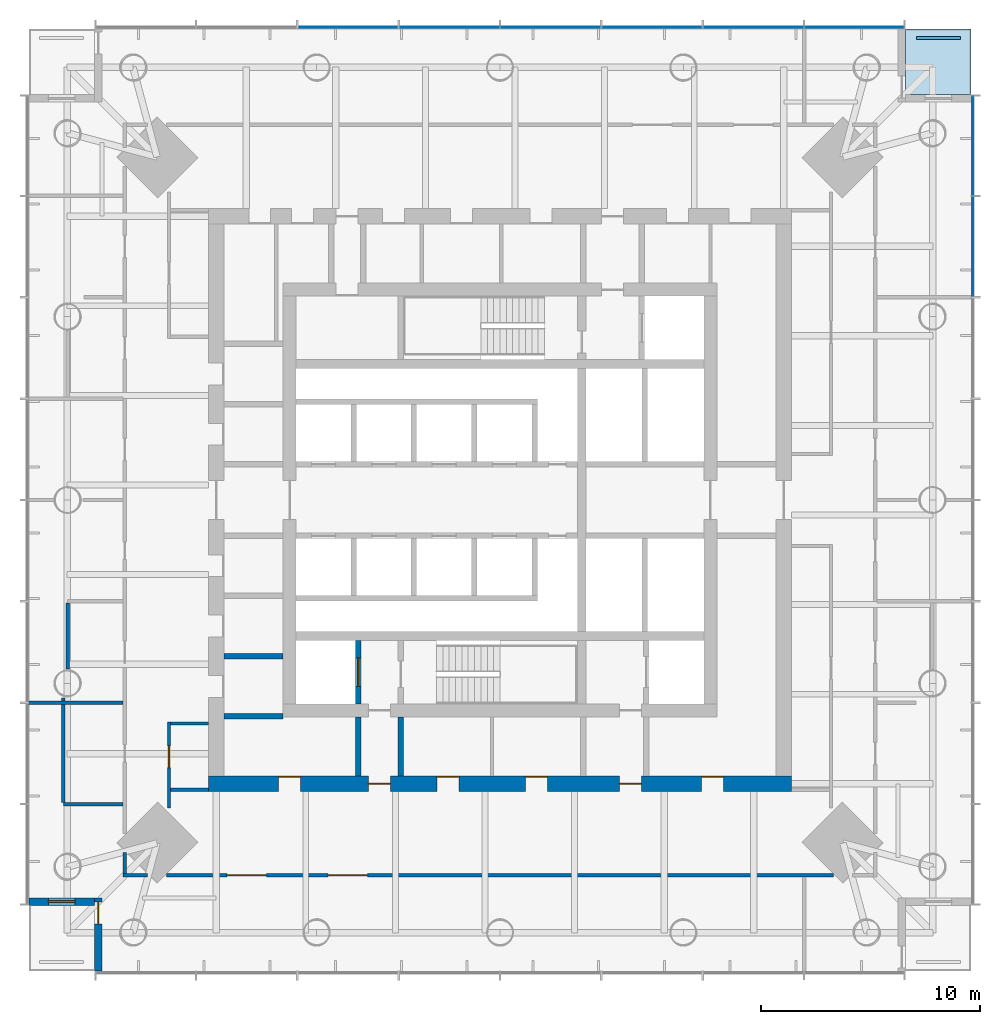
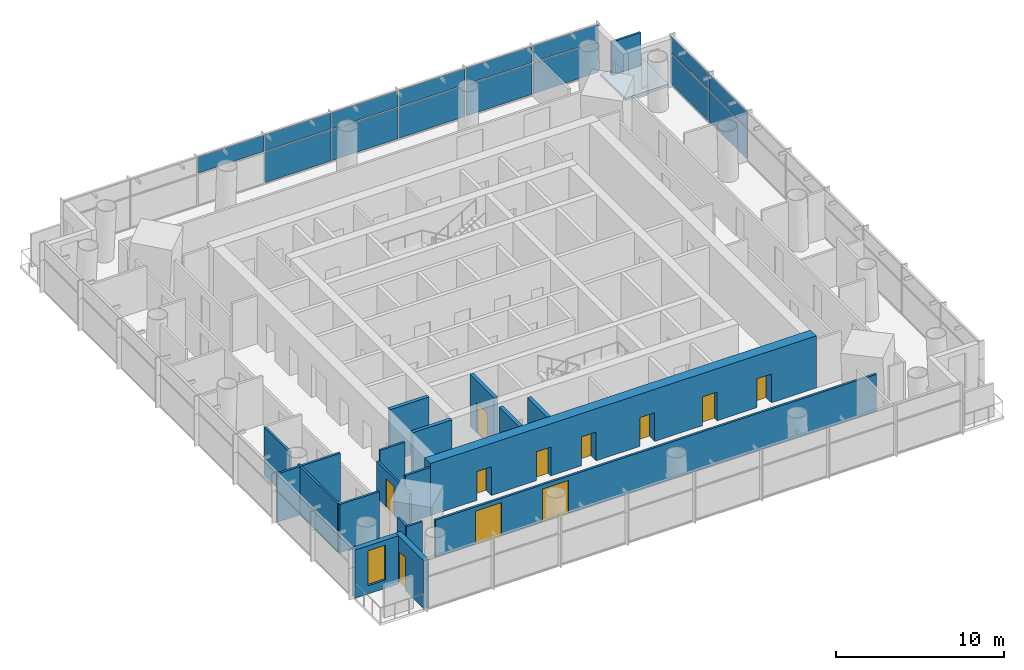
# One storey, part 6 of 11: 18 walls, 16 plates, 11 doors, 1 slab, 1 window, 12 openings, 4 elements without a shape of their own.
"""IFC4 building model written with IfcOpenShell, lengths in metres."""

from ifc_helpers import new_model, si_unit, direction, frame, frame_2d, origin, origin_2d, place, context, subcontext, project, spatial, polyline, rectangle, outline, extrude, material, layer, layer_set, type_object, element, fill, aggregate, save


model = new_model("IFC4")

# Units and contexts
model_context = context("Model", 3, precision=1e-05, world=origin(), true_north=direction((0.0, 1.0)))
body_context = subcontext(model_context, "Body", "Model", "MODEL_VIEW")
ifc_project = project(units=[si_unit("LENGTHUNIT", "METRE"), si_unit("AREAUNIT", "SQUARE_METRE"), si_unit("VOLUMEUNIT", "CUBIC_METRE"), si_unit("PLANEANGLEUNIT", "RADIAN"), si_unit("MASSUNIT", "GRAM", prefix="KILO")], contexts=[model_context])

# Site, building, storey
site_placement = place(None, origin())
site = spatial("IfcSite", under=ifc_project, at=site_placement, CompositionType="ELEMENT")
building_placement = place(site_placement, origin())
building = spatial("IfcBuilding", under=site, at=building_placement, Name="Ostroluk Exchange", CompositionType="ELEMENT")
storey_placement = place(building_placement, frame((0.0, 0.0, 154.0)))
storey = spatial("IfcBuildingStorey", under=building, at=storey_placement, Name="L39", CompositionType="ELEMENT", Elevation=154.0)

# Slab
ifc_material_1 = material(Name="Concrete C35/45", Category="concrete")
ifc_layer_1 = layer(ifc_material_1, 0.179931640625)
ifc_layer_set_1 = layer_set([ifc_layer_1], Name="Balcony slab 180")
slab_type = type_object("IfcSlabType", Name="Balcony slab 180", PredefinedType="USERDEFINED", material=ifc_layer_set_1)
slab_placement = place(storey_placement, frame((0.0, 0.0, -0.179931640625)))
element("IfcSlab", 1, at=slab_placement, inside=storey, type_object=slab_type, Name="Office tower NE corner balcony L39", ObjectType="BALCONY", PredefinedType="USERDEFINED", context=body_context, shape_type="SweptSolid", body=[
    extrude(outline(polyline([(63.5, 64.5), (66.5, 64.5), (66.5, 67.5), (63.5, 67.5), (63.5, 64.5)])), origin(), (0.0, 0.0, 1.0), 0.179931640625),
])

# Curtain wall, plates
ifc_material_2 = material(Name="Laminated clear glass", Category="glass")
curtain_wall_type = type_object("IfcCurtainWallType", Name="Office tower facade", PredefinedType="USERDEFINED", material=ifc_material_2)
curtain_wall_1_placement = place(storey_placement, origin())
curtain_wall_1 = element("IfcCurtainWall", 2, at=curtain_wall_1_placement, inside=storey, type_object=curtain_wall_type, Name="Office tower east spandrel L39", ObjectType="UNITISED CURTAIN WALL", PredefinedType="USERDEFINED")
ifc_material_3 = material(Name="Insulated aluminium spandrel", Category="aluminium")
ifc_layer_2 = layer(ifc_material_3, 0.0439453125)
ifc_layer_set_2 = layer_set([ifc_layer_2], Name="Insulated spandrel panel 44")
plate_type_1 = type_object("IfcPlateType", Name="Insulated spandrel panel 44", PredefinedType="CURTAIN_PANEL", material=ifc_layer_set_2)
plate_1_placement = place(storey_placement, frame((66.574951171875, 57.5625, 2.3935546875), z_axis=(0.0, 0.0, 1.0), x_axis=(0.0, 1.0, 0.0)))
plate_1 = element("IfcPlate", 3, at=plate_1_placement, type_object=plate_type_1, Name="CW-O1 panel 7.1", PredefinedType="CURTAIN_PANEL", context=body_context, shape_type="SweptSolid", body=[
    extrude(rectangle(XDim=4.544921875, YDim=0.0439453125, at=origin_2d()), origin(), (0.0, 0.0, 1.0), 1.176513671875),
])
plate_2_placement = place(storey_placement, frame((66.574951171875, 62.16748046875, 2.3935546875), z_axis=(0.0, 0.0, 1.0), x_axis=(0.0, 1.0, 0.0)))
plate_2 = element("IfcPlate", 4, at=plate_2_placement, type_object=plate_type_1, Name="CW-O1 panel 8.1", PredefinedType="CURTAIN_PANEL", context=body_context, shape_type="SweptSolid", body=[
    extrude(rectangle(XDim=4.5048828125, YDim=0.0439453125, at=origin_2d()), origin(), (0.0, 0.0, 1.0), 1.176513671875),
])
aggregate(curtain_wall_1, [plate_1, plate_2])

curtain_wall_2_placement = place(storey_placement, origin())
curtain_wall_2 = element("IfcCurtainWall", 5, at=curtain_wall_2_placement, inside=storey, type_object=curtain_wall_type, Name="Office tower north spandrel L39", ObjectType="UNITISED CURTAIN WALL", PredefinedType="USERDEFINED")
plate_3_placement = place(storey_placement, frame((61.16748046875, 67.574951171875, 2.3935546875), z_axis=(0.0, 0.0, 1.0), x_axis=(-1.0, 0.0, 0.0)))
plate_3 = element("IfcPlate", 6, at=plate_3_placement, type_object=plate_type_1, Name="CW-O1 panel 1.1", PredefinedType="CURTAIN_PANEL", context=body_context, shape_type="SweptSolid", body=[
    extrude(rectangle(XDim=4.5048828125, YDim=0.0439453125, at=origin_2d()), origin(), (0.0, 0.0, 1.0), 1.176513671875),
])
plate_4_placement = place(storey_placement, frame((56.5625, 67.574951171875, 2.3935546875), z_axis=(0.0, 0.0, 1.0), x_axis=(-1.0, 0.0, 0.0)))
plate_4 = element("IfcPlate", 7, at=plate_4_placement, type_object=plate_type_1, Name="CW-O1 panel 2.1", PredefinedType="CURTAIN_PANEL", context=body_context, shape_type="SweptSolid", body=[
    extrude(rectangle(XDim=4.544921875, YDim=0.0439453125, at=origin_2d()), origin(), (0.0, 0.0, 1.0), 1.176513671875),
])
plate_5_placement = place(storey_placement, frame((51.9375, 67.574951171875, 2.3935546875), z_axis=(0.0, 0.0, 1.0), x_axis=(-1.0, 0.0, 0.0)))
plate_5 = element("IfcPlate", 8, at=plate_5_placement, type_object=plate_type_1, Name="CW-O1 panel 3.1", PredefinedType="CURTAIN_PANEL", context=body_context, shape_type="SweptSolid", body=[
    extrude(rectangle(XDim=4.544921875, YDim=0.0439453125, at=origin_2d()), origin(), (0.0, 0.0, 1.0), 1.176513671875),
])
plate_6_placement = place(storey_placement, frame((47.3125, 67.574951171875, 2.3935546875), z_axis=(0.0, 0.0, 1.0), x_axis=(-1.0, 0.0, 0.0)))
plate_6 = element("IfcPlate", 9, at=plate_6_placement, type_object=plate_type_1, Name="CW-O1 panel 4.1", PredefinedType="CURTAIN_PANEL", context=body_context, shape_type="SweptSolid", body=[
    extrude(rectangle(XDim=4.544921875, YDim=0.0439453125, at=origin_2d()), origin(), (0.0, 0.0, 1.0), 1.176513671875),
])
plate_7_placement = place(storey_placement, frame((42.6875, 67.574951171875, 2.3935546875), z_axis=(0.0, 0.0, 1.0), x_axis=(-1.0, 0.0, 0.0)))
plate_7 = element("IfcPlate", 10, at=plate_7_placement, type_object=plate_type_1, Name="CW-O1 panel 5.1", PredefinedType="CURTAIN_PANEL", context=body_context, shape_type="SweptSolid", body=[
    extrude(rectangle(XDim=4.544921875, YDim=0.0439453125, at=origin_2d()), origin(), (0.0, 0.0, 1.0), 1.176513671875),
])
plate_8_placement = place(storey_placement, frame((38.0625, 67.574951171875, 2.3935546875), z_axis=(0.0, 0.0, 1.0), x_axis=(-1.0, 0.0, 0.0)))
plate_8 = element("IfcPlate", 11, at=plate_8_placement, type_object=plate_type_1, Name="CW-O1 panel 6.1", PredefinedType="CURTAIN_PANEL", context=body_context, shape_type="SweptSolid", body=[
    extrude(rectangle(XDim=4.544921875, YDim=0.0439453125, at=origin_2d()), origin(), (0.0, 0.0, 1.0), 1.176513671875),
])
aggregate(curtain_wall_2, [plate_3, plate_4, plate_5, plate_6, plate_7, plate_8])

# Plate
ifc_material_4 = material(Name="Steel S355 trellis with planting", Category="steel")
ifc_layer_3 = layer(ifc_material_4, 0.14990234375)
ifc_layer_set_3 = layer_set([ifc_layer_3], Name="Planted screen 150")
plate_type_2 = type_object("IfcPlateType", Name="Planted screen 150", PredefinedType="USERDEFINED", material=ifc_layer_set_3)
plate_9_placement = place(storey_placement, frame((65.0, 67.074951171875, 0.0), z_axis=(0.0, 0.0, 1.0), x_axis=(1.0, 0.0, 0.0)))
element("IfcPlate", 12, at=plate_9_placement, inside=storey, type_object=plate_type_2, Name="Office tower NE planted screen L39", ObjectType="PLANTED SCREEN", PredefinedType="USERDEFINED", context=body_context, shape_type="SweptSolid", body=[
    extrude(rectangle(XDim=2.0, YDim=0.14990234375, at=origin_2d()), origin(), (0.0, 0.0, 1.0), 2.39990234375),
])

# Curtain wall, plates
curtain_wall_3_placement = place(storey_placement, origin())
curtain_wall_3 = element("IfcCurtainWall", 13, at=curtain_wall_3_placement, inside=storey, type_object=curtain_wall_type, Name="Office tower east facade L39", ObjectType="UNITISED CURTAIN WALL", PredefinedType="USERDEFINED")
ifc_material_5 = material(Name="Laminated clear glass", Category="glass")
ifc_layer_4 = layer(ifc_material_5, 0.0439453125)
ifc_layer_set_4 = layer_set([ifc_layer_4], Name="Triple laminated clear glazing 44")
plate_type_3 = type_object("IfcPlateType", Name="Triple laminated clear glazing 44", PredefinedType="CURTAIN_PANEL", material=ifc_layer_set_4)
plate_10_placement = place(storey_placement, frame((66.574951171875, 57.5625, 0.080078125), z_axis=(0.0, 0.0, 1.0), x_axis=(0.0, 1.0, 0.0)))
plate_10 = element("IfcPlate", 14, at=plate_10_placement, type_object=plate_type_3, Name="CW-O1 panel 7.1", PredefinedType="CURTAIN_PANEL", context=body_context, shape_type="SweptSolid", body=[
    extrude(rectangle(XDim=4.544921875, YDim=0.0439453125, at=origin_2d()), origin(), (0.0, 0.0, 1.0), 2.2333984375),
])
plate_11_placement = place(storey_placement, frame((66.574951171875, 62.16748046875, 0.080078125), z_axis=(0.0, 0.0, 1.0), x_axis=(0.0, 1.0, 0.0)))
plate_11 = element("IfcPlate", 15, at=plate_11_placement, type_object=plate_type_3, Name="CW-O1 panel 8.1", PredefinedType="CURTAIN_PANEL", context=body_context, shape_type="SweptSolid", body=[
    extrude(rectangle(XDim=4.5048828125, YDim=0.0439453125, at=origin_2d()), origin(), (0.0, 0.0, 1.0), 2.2333984375),
])
aggregate(curtain_wall_3, [plate_10, plate_11])

curtain_wall_4_placement = place(storey_placement, origin())
curtain_wall_4 = element("IfcCurtainWall", 16, at=curtain_wall_4_placement, inside=storey, type_object=curtain_wall_type, Name="Office tower north facade L39", ObjectType="UNITISED CURTAIN WALL", PredefinedType="USERDEFINED")
plate_12_placement = place(storey_placement, frame((61.16748046875, 67.574951171875, 0.080078125), z_axis=(0.0, 0.0, 1.0), x_axis=(-1.0, 0.0, 0.0)))
plate_12 = element("IfcPlate", 17, at=plate_12_placement, type_object=plate_type_3, Name="CW-O1 panel 1.1", PredefinedType="CURTAIN_PANEL", context=body_context, shape_type="SweptSolid", body=[
    extrude(rectangle(XDim=4.5048828125, YDim=0.0439453125, at=origin_2d()), origin(), (0.0, 0.0, 1.0), 2.2333984375),
])
plate_13_placement = place(storey_placement, frame((56.5625, 67.574951171875, 0.080078125), z_axis=(0.0, 0.0, 1.0), x_axis=(-1.0, 0.0, 0.0)))
plate_13 = element("IfcPlate", 18, at=plate_13_placement, type_object=plate_type_3, Name="CW-O1 panel 2.1", PredefinedType="CURTAIN_PANEL", context=body_context, shape_type="SweptSolid", body=[
    extrude(rectangle(XDim=4.544921875, YDim=0.0439453125, at=origin_2d()), origin(), (0.0, 0.0, 1.0), 2.2333984375),
])
plate_14_placement = place(storey_placement, frame((51.9375, 67.574951171875, 0.080078125), z_axis=(0.0, 0.0, 1.0), x_axis=(-1.0, 0.0, 0.0)))
plate_14 = element("IfcPlate", 19, at=plate_14_placement, type_object=plate_type_3, Name="CW-O1 panel 3.1", PredefinedType="CURTAIN_PANEL", context=body_context, shape_type="SweptSolid", body=[
    extrude(rectangle(XDim=4.544921875, YDim=0.0439453125, at=origin_2d()), origin(), (0.0, 0.0, 1.0), 2.2333984375),
])
plate_15_placement = place(storey_placement, frame((47.3125, 67.574951171875, 0.080078125), z_axis=(0.0, 0.0, 1.0), x_axis=(-1.0, 0.0, 0.0)))
plate_15 = element("IfcPlate", 20, at=plate_15_placement, type_object=plate_type_3, Name="CW-O1 panel 4.1", PredefinedType="CURTAIN_PANEL", context=body_context, shape_type="SweptSolid", body=[
    extrude(rectangle(XDim=4.544921875, YDim=0.0439453125, at=origin_2d()), origin(), (0.0, 0.0, 1.0), 2.2333984375),
])
plate_16_placement = place(storey_placement, frame((42.6875, 67.574951171875, 0.080078125), z_axis=(0.0, 0.0, 1.0), x_axis=(-1.0, 0.0, 0.0)))
plate_16 = element("IfcPlate", 21, at=plate_16_placement, type_object=plate_type_3, Name="CW-O1 panel 5.1", PredefinedType="CURTAIN_PANEL", context=body_context, shape_type="SweptSolid", body=[
    extrude(rectangle(XDim=4.544921875, YDim=0.0439453125, at=origin_2d()), origin(), (0.0, 0.0, 1.0), 2.2333984375),
])
aggregate(curtain_wall_4, [plate_12, plate_13, plate_14, plate_15, plate_16])

# Walls
ifc_material_6 = material(Name="Concrete blockwork", Category="masonry")
ifc_layer_5 = layer(ifc_material_6, 0.25)
ifc_layer_set_5 = layer_set([ifc_layer_5], Name="Blockwork stair enclosure wall 250")
wall_type_1 = type_object("IfcWallType", Name="Blockwork stair enclosure wall 250", PredefinedType="SOLIDWALL", material=ifc_layer_set_5)
for number, where, z_axis, x_axis, name in (
    (22, (38.52490234375, 33.39990234375, 0.0), (0.0, 0.0, 1.0), (0.0, 1.0, 0.0), "Fire lobby enclosure wall"),
    (23, (40.47509765625, 33.39990234375, 0.0), (0.0, 0.0, 1.0), (0.0, 1.0, 0.0), "Fire lobby enclosure wall"),
):
    element("IfcWall", number, at=place(storey_placement, frame(where, z_axis=z_axis, x_axis=x_axis)), inside=storey, type_object=wall_type_1, Name=name, PredefinedType="SOLIDWALL", context=body_context, shape_type="SweptSolid", body=[
        extrude(rectangle(XDim=2.7001953125, YDim=0.25, at=frame_2d((1.35009765625, 0.0))), origin(), (0.0, 0.0, 1.0), 3.52001953125),
    ])

# Wall, opening, door
ifc_material_7 = material(Name="Concrete C40/50", Category="concrete")
ifc_layer_6 = layer(ifc_material_7, 0.25)
ifc_layer_set_6 = layer_set([ifc_layer_6], Name="Core shaft wall 250")
wall_type_2 = type_object("IfcWallType", Name="Core shaft wall 250", PredefinedType="SHEAR", material=ifc_layer_set_6)
wall_1_placement = place(storey_placement, frame((38.52490234375, 36.699951171875, 0.0), z_axis=(0.0, 0.0, 1.0), x_axis=(0.0, 1.0, 0.0)))
wall_1 = element("IfcWall", 24, at=wall_1_placement, inside=storey, type_object=wall_type_2, Name="Firefighting lift shaft wall", PredefinedType="SHEAR", context=body_context, shape_type="SweptSolid", body=[
    extrude(rectangle(XDim=2.900146484375, YDim=0.25, at=frame_2d((1.4501953125, 0.0))), origin(), (0.0, 0.0, 1.0), 3.800048828125),
])
opening_1_placement = place(wall_1_placement, frame((0.800048828125, 0.0, 0.0)))
opening_1 = element("IfcOpeningElement", 25, at=opening_1_placement, cuts=wall_1, Name="Opening LD2", PredefinedType="OPENING", context=body_context, shape_type="SweptSolid", body=[
    extrude(rectangle(XDim=1.300048828125, YDim=2.199951171875, at=frame_2d((0.64990234375, 1.10009765625))), frame((0.0, 0.135009765625, 0.0), z_axis=(0.0, -1.0, 0.0), x_axis=(1.0, 0.0, 0.0)), (0.0, 0.0, 1.0), 0.27001953125),
])
ifc_material_8 = material(Name="Stainless steel", Category="steel")
door_type_1 = type_object("IfcDoorType", Name="Lift landing door E 60 1300 x 2200", OperationType="DOUBLE_DOOR_SLIDING", PredefinedType="DOOR", material=ifc_material_8)
door_1_placement = place(opening_1_placement, origin())
door_1 = element("IfcDoor", 26, at=door_1_placement, inside=storey, type_object=door_type_1, Name="Lift FL1 landing door", OperationType="DOUBLE_DOOR_SLIDING", OverallHeight=2.199951171875, OverallWidth=1.300048828125, PredefinedType="DOOR", context=body_context, shape_type="SweptSolid", body=[
    extrude(rectangle(XDim=1.300048828125, YDim=2.199951171875, at=frame_2d((0.64990234375, 1.10009765625))), frame((0.0, 0.02490234375, 0.0), z_axis=(0.0, -1.0, 0.0), x_axis=(1.0, 0.0, 0.0)), (0.0, 0.0, 1.0), 0.050048828125),
])
fill(opening_1, door_1)

# Walls
for number, where, z_axis, x_axis, name in (
    (27, (32.39990234375, 36.125, 0.0), (0.0, 0.0, 1.0), (1.0, 0.0, 0.0), "Lift shaft wall"),
    (28, (32.39990234375, 38.875, 0.0), (0.0, 0.0, 1.0), (1.0, 0.0, 0.0), "Lift shaft wall"),
):
    element("IfcWall", number, at=place(storey_placement, frame(where, z_axis=z_axis, x_axis=x_axis)), inside=storey, type_object=wall_type_2, Name=name, PredefinedType="SHEAR", context=body_context, shape_type="SweptSolid", body=[
        extrude(rectangle(XDim=2.7001953125, YDim=0.25, at=frame_2d((1.35009765625, 0.0))), origin(), (0.0, 0.0, 1.0), 3.800048828125),
    ])

# Wall, openings, doors
ifc_material_9 = material(Name="Concrete C50/60", Category="concrete")
ifc_layer_7 = layer(ifc_material_9, 0.699951171875)
ifc_layer_set_7 = layer_set([ifc_layer_7], Name="Core wall 700 C50/60")
wall_type_3 = type_object("IfcWallType", Name="Core wall 700 C50/60", PredefinedType="SHEAR", material=ifc_layer_set_7)
wall_2_placement = place(storey_placement, frame((31.699951171875, 33.050048828125, 0.0), z_axis=(0.0, 0.0, 1.0), x_axis=(1.0, 0.0, 0.0)))
wall_2 = element("IfcWall", 29, at=wall_2_placement, inside=storey, type_object=wall_type_3, Name="T1 core wall RS", PredefinedType="SHEAR", context=body_context, shape_type="SweptSolid", body=[
    extrude(rectangle(XDim=26.60009765625, YDim=0.699951171875, at=frame_2d((13.300048828125, 0.0))), origin(), (0.0, 0.0, 1.0), 3.800048828125),
])
opening_2_placement = place(wall_2_placement, frame((7.300048828125, 0.0, 0.0)))
opening_2 = element("IfcOpeningElement", 30, at=opening_2_placement, cuts=wall_2, Name="Opening FD60", PredefinedType="OPENING", context=body_context, shape_type="SweptSolid", body=[
    extrude(rectangle(XDim=1.0, YDim=2.10009765625, at=frame_2d((0.5, 1.050048828125))), frame((0.0, 0.35986328125, 0.0), z_axis=(0.0, -1.0, 0.0), x_axis=(1.0, 0.0, 0.0)), (0.0, 0.0, 1.0), 0.719970703125),
])
opening_3_placement = place(wall_2_placement, frame((18.75, 0.0, 0.0)))
opening_3 = element("IfcOpeningElement", 31, at=opening_3_placement, cuts=wall_2, Name="Opening FD60", PredefinedType="OPENING", context=body_context, shape_type="SweptSolid", body=[
    extrude(rectangle(XDim=1.0, YDim=2.10009765625, at=frame_2d((0.5, 1.050048828125))), frame((0.0, 0.35986328125, 0.0), z_axis=(0.0, -1.0, 0.0), x_axis=(1.0, 0.0, 0.0)), (0.0, 0.0, 1.0), 0.719970703125),
])
opening_4_placement = place(wall_2_placement, frame((3.199951171875, 0.0, 0.0)))
opening_4 = element("IfcOpeningElement", 32, at=opening_4_placement, cuts=wall_2, Name="Opening FD60", PredefinedType="OPENING", context=body_context, shape_type="SweptSolid", body=[
    extrude(rectangle(XDim=1.0, YDim=2.10009765625, at=frame_2d((0.5, 1.050048828125))), frame((0.0, 0.35986328125, 0.0), z_axis=(0.0, -1.0, 0.0), x_axis=(1.0, 0.0, 0.0)), (0.0, 0.0, 1.0), 0.719970703125),
])
opening_5_placement = place(wall_2_placement, frame((10.419921875, 0.0, 0.0)))
opening_5 = element("IfcOpeningElement", 33, at=opening_5_placement, cuts=wall_2, Name="Opening FD60", PredefinedType="OPENING", context=body_context, shape_type="SweptSolid", body=[
    extrude(rectangle(XDim=1.0, YDim=2.10009765625, at=frame_2d((0.5, 1.050048828125))), frame((0.0, 0.35986328125, 0.0), z_axis=(0.0, -1.0, 0.0), x_axis=(1.0, 0.0, 0.0)), (0.0, 0.0, 1.0), 0.719970703125),
])
opening_6_placement = place(wall_2_placement, frame((14.4599609375, 0.0, 0.0)))
opening_6 = element("IfcOpeningElement", 34, at=opening_6_placement, cuts=wall_2, Name="Opening FD60", PredefinedType="OPENING", context=body_context, shape_type="SweptSolid", body=[
    extrude(rectangle(XDim=1.0, YDim=2.10009765625, at=frame_2d((0.5, 1.050048828125))), frame((0.0, 0.35986328125, 0.0), z_axis=(0.0, -1.0, 0.0), x_axis=(1.0, 0.0, 0.0)), (0.0, 0.0, 1.0), 0.719970703125),
])
opening_7_placement = place(wall_2_placement, frame((22.5, 0.0, 0.0)))
opening_7 = element("IfcOpeningElement", 35, at=opening_7_placement, cuts=wall_2, Name="Opening FD60", PredefinedType="OPENING", context=body_context, shape_type="SweptSolid", body=[
    extrude(rectangle(XDim=1.0, YDim=2.10009765625, at=frame_2d((0.5, 1.050048828125))), frame((0.0, 0.35986328125, 0.0), z_axis=(0.0, -1.0, 0.0), x_axis=(1.0, 0.0, 0.0)), (0.0, 0.0, 1.0), 0.719970703125),
])
ifc_material_10 = material(Name="Steel", Category="steel")
door_type_2 = type_object("IfcDoorType", Name="Fire door EI 60 1000 x 2100", OperationType="SINGLE_SWING_LEFT", PredefinedType="DOOR", material=ifc_material_10)
door_2_placement = place(opening_2_placement, origin())
door_2 = element("IfcDoor", 36, at=door_2_placement, inside=storey, type_object=door_type_2, Name="Firefighting lobby door", OperationType="SINGLE_SWING_LEFT", OverallHeight=2.10009765625, OverallWidth=1.0, PredefinedType="DOOR", context=body_context, shape_type="SweptSolid", body=[
    extrude(rectangle(XDim=1.0, YDim=2.10009765625, at=frame_2d((0.5, 1.050048828125))), frame((0.0, 0.02490234375, 0.0), z_axis=(0.0, -1.0, 0.0), x_axis=(1.0, 0.0, 0.0)), (0.0, 0.0, 1.0), 0.050048828125),
])
fill(opening_2, door_2)
door_3_placement = place(opening_3_placement, origin())
door_3 = element("IfcDoor", 37, at=door_3_placement, inside=storey, type_object=door_type_2, Name="Service lobby door", OperationType="SINGLE_SWING_RIGHT", OverallHeight=2.10009765625, OverallWidth=1.0, PredefinedType="DOOR", context=body_context, shape_type="SweptSolid", body=[
    extrude(rectangle(XDim=1.0, YDim=2.10009765625, at=frame_2d((0.5, 1.050048828125))), frame((0.0, 0.02490234375, 0.0), z_axis=(0.0, -1.0, 0.0), x_axis=(1.0, 0.0, 0.0)), (0.0, 0.0, 1.0), 0.050048828125),
])
fill(opening_3, door_3)
door_4_placement = place(opening_4_placement, origin())
door_4 = element("IfcDoor", 38, at=door_4_placement, inside=storey, type_object=door_type_2, Name="Archive door", OperationType="SINGLE_SWING_LEFT", OverallHeight=2.10009765625, OverallWidth=1.0, PredefinedType="DOOR", context=body_context, shape_type="SweptSolid", body=[
    extrude(rectangle(XDim=1.0, YDim=2.10009765625, at=frame_2d((0.5, 1.050048828125))), frame((0.0, 0.33984375, 0.0), z_axis=(0.0, -1.0, 0.0), x_axis=(1.0, 0.0, 0.0)), (0.0, 0.0, 1.0), 0.050048828125),
])
fill(opening_4, door_4)
door_5_placement = place(opening_5_placement, origin())
door_5 = element("IfcDoor", 39, at=door_5_placement, inside=storey, type_object=door_type_2, Name="Tea point door", OperationType="SINGLE_SWING_LEFT", OverallHeight=2.10009765625, OverallWidth=1.0, PredefinedType="DOOR", context=body_context, shape_type="SweptSolid", body=[
    extrude(rectangle(XDim=1.0, YDim=2.10009765625, at=frame_2d((0.5, 1.050048828125))), frame((0.0, 0.33984375, 0.0), z_axis=(0.0, -1.0, 0.0), x_axis=(1.0, 0.0, 0.0)), (0.0, 0.0, 1.0), 0.050048828125),
])
fill(opening_5, door_5)
door_6_placement = place(opening_6_placement, origin())
door_6 = element("IfcDoor", 40, at=door_6_placement, inside=storey, type_object=door_type_2, Name="Print and post room door", OperationType="SINGLE_SWING_RIGHT", OverallHeight=2.10009765625, OverallWidth=1.0, PredefinedType="DOOR", context=body_context, shape_type="SweptSolid", body=[
    extrude(rectangle(XDim=1.0, YDim=2.10009765625, at=frame_2d((0.5, 1.050048828125))), frame((0.0, 0.33984375, 0.0), z_axis=(0.0, -1.0, 0.0), x_axis=(1.0, 0.0, 0.0)), (0.0, 0.0, 1.0), 0.050048828125),
])
fill(opening_6, door_6)
door_7_placement = place(opening_7_placement, origin())
door_7 = element("IfcDoor", 41, at=door_7_placement, inside=storey, type_object=door_type_2, Name="Tenant IT room door", OperationType="SINGLE_SWING_RIGHT", OverallHeight=2.10009765625, OverallWidth=1.0, PredefinedType="DOOR", context=body_context, shape_type="SweptSolid", body=[
    extrude(rectangle(XDim=1.0, YDim=2.10009765625, at=frame_2d((0.5, 1.050048828125))), frame((0.0, 0.33984375, 0.0), z_axis=(0.0, -1.0, 0.0), x_axis=(1.0, 0.0, 0.0)), (0.0, 0.0, 1.0), 0.050048828125),
])
fill(opening_7, door_7)

# Wall, opening, door
ifc_material_11 = material(Name="Limestone", Category="masonry")
ifc_layer_8 = layer(ifc_material_11, 0.35009765625)
ifc_layer_set_8 = layer_set([ifc_layer_8], Name="Limestone facade wall 350")
wall_type_4 = type_object("IfcWallType", Name="Limestone facade wall 350", PredefinedType="SOLIDWALL", material=ifc_layer_set_8)
wall_3_placement = place(storey_placement, frame((26.675048828125, 24.5, 0.0), z_axis=(0.0, 0.0, 1.0), x_axis=(0.0, 1.0, 0.0)))
wall_3 = element("IfcWall", 42, at=wall_3_placement, inside=storey, type_object=wall_type_4, Name="Office tower SW corner wall L39 a", PredefinedType="SOLIDWALL", context=body_context, shape_type="SweptSolid", body=[
    extrude(rectangle(XDim=3.35009765625, YDim=0.35009765625, at=frame_2d((1.675048828125, 0.0))), origin(), (0.0, 0.0, 1.0), 3.52001953125),
])
opening_8_placement = place(wall_3_placement, frame((2.14990234375, 0.0, 0.0)))
opening_8 = element("IfcOpeningElement", 43, at=opening_8_placement, cuts=wall_3, Name="Opening D-B1", PredefinedType="OPENING", context=body_context, shape_type="SweptSolid", body=[
    extrude(rectangle(XDim=1.0, YDim=2.39990234375, at=frame_2d((0.5, 1.199951171875))), frame((0.0, 0.18505859375, 0.0), z_axis=(0.0, -1.0, 0.0), x_axis=(1.0, 0.0, 0.0)), (0.0, 0.0, 1.0), 0.3701171875),
])
ifc_material_12 = material(Name="Bronze framed glazed door", Category="aluminium")
door_type_3 = type_object("IfcDoorType", Name="Balcony door 1000 x 2400", OperationType="SINGLE_SWING_LEFT", PredefinedType="DOOR", material=ifc_material_12)
door_8_placement = place(opening_8_placement, origin())
door_8 = element("IfcDoor", 44, at=door_8_placement, inside=storey, type_object=door_type_3, Name="Office tower SW balcony door L39", OperationType="SINGLE_SWING_RIGHT", OverallHeight=2.39990234375, OverallWidth=1.0, PredefinedType="DOOR", context=body_context, shape_type="SweptSolid", body=[
    extrude(rectangle(XDim=1.0, YDim=2.39990234375, at=frame_2d((0.5, 1.199951171875))), frame((0.0, 0.02490234375, 0.0), z_axis=(0.0, -1.0, 0.0), x_axis=(1.0, 0.0, 0.0)), (0.0, 0.0, 1.0), 0.050048828125),
])
fill(opening_8, door_8)

# Wall, opening, window
wall_4_placement = place(storey_placement, frame((26.5, 27.675048828125, 0.0), z_axis=(0.0, 0.0, 1.0), x_axis=(-1.0, 0.0, 0.0)))
wall_4 = element("IfcWall", 45, at=wall_4_placement, inside=storey, type_object=wall_type_4, Name="Office tower SW corner wall L39 b", PredefinedType="SOLIDWALL", context=body_context, shape_type="SweptSolid", body=[
    extrude(rectangle(XDim=3.0, YDim=0.35009765625, at=frame_2d((1.5, 0.0))), origin(), (0.0, 0.0, 1.0), 3.52001953125),
])
opening_9_placement = place(wall_4_placement, frame((0.89990234375, 0.0, 0.60009765625)))
opening_9 = element("IfcOpeningElement", 46, at=opening_9_placement, cuts=wall_4, Name="Opening WN-L1", PredefinedType="OPENING", context=body_context, shape_type="SweptSolid", body=[
    extrude(rectangle(XDim=1.199951171875, YDim=2.550048828125, at=frame_2d((0.60009765625, 1.27490234375))), frame((0.0, 0.18505859375, 0.0), z_axis=(0.0, -1.0, 0.0), x_axis=(1.0, 0.0, 0.0)), (0.0, 0.0, 1.0), 0.3701171875),
])
ifc_material_13 = material(Name="Laminated clear glass", Category="glass")
window_type = type_object("IfcWindowType", Name="Lancet window 1200 x 2550", PartitioningType="SINGLE_PANEL", PredefinedType="WINDOW", material=ifc_material_13)
window_placement = place(opening_9_placement, origin())
window = element("IfcWindow", 47, at=window_placement, inside=storey, type_object=window_type, Name="Office tower SW lancet window L39", OverallHeight=2.550048828125, OverallWidth=1.199951171875, PartitioningType="SINGLE_PANEL", PredefinedType="WINDOW", context=body_context, shape_type="SweptSolid", body=[
    extrude(rectangle(XDim=1.199951171875, YDim=2.550048828125, at=frame_2d((0.60009765625, 1.27490234375))), frame((0.0, 0.030029296875, 0.0), z_axis=(0.0, -1.0, 0.0), x_axis=(1.0, 0.0, 0.0)), (0.0, 0.0, 1.0), 0.06005859375),
])
fill(opening_9, window)

# Wall, opening, door
ifc_material_14 = material(Name="Gypsum plasterboard partition", Category="gypsum")
ifc_layer_9 = layer(ifc_material_14, 0.14990234375)
ifc_layer_set_9 = layer_set([ifc_layer_9], Name="Plasterboard partition 150")
wall_type_5 = type_object("IfcWallType", Name="Plasterboard partition 150", PredefinedType="PARTITIONING", material=ifc_layer_set_9)
wall_5_placement = place(storey_placement, frame((29.89990234375, 35.875, 0.0), z_axis=(0.0, 0.0, 1.0), x_axis=(0.0, -1.0, 0.0)))
wall_5 = element("IfcWall", 48, at=wall_5_placement, inside=storey, type_object=wall_type_5, Name="Partition", PredefinedType="PARTITIONING", context=body_context, shape_type="SweptSolid", body=[
    extrude(rectangle(XDim=3.918701171875, YDim=0.14990234375, at=frame_2d((1.95947265625, 0.0))), origin(), (0.0, 0.0, 1.0), 2.7060546875),
])
opening_10_placement = place(wall_5_placement, frame((1.08740234375, 0.0, 0.0)))
opening_10 = element("IfcOpeningElement", 49, at=opening_10_placement, cuts=wall_5, Name="Opening D-03", PredefinedType="OPENING", context=body_context, shape_type="SweptSolid", body=[
    extrude(rectangle(XDim=1.0, YDim=2.10009765625, at=frame_2d((0.5, 1.050048828125))), frame((0.0, 0.0849609375, 0.0), z_axis=(0.0, -1.0, 0.0), x_axis=(1.0, 0.0, 0.0)), (0.0, 0.0, 1.0), 0.169921875),
])
ifc_material_15 = material(Name="Timber", Category="wood")
door_type_4 = type_object("IfcDoorType", Name="Internal door 1000 x 2100", OperationType="SINGLE_SWING_LEFT", PredefinedType="DOOR", material=ifc_material_15)
door_9_placement = place(opening_10_placement, origin())
door_9 = element("IfcDoor", 50, at=door_9_placement, inside=storey, type_object=door_type_4, Name="Quiet room door", OperationType="SINGLE_SWING_LEFT", OverallHeight=2.10009765625, OverallWidth=1.0, PredefinedType="DOOR", context=body_context, shape_type="SweptSolid", body=[
    extrude(rectangle(XDim=1.0, YDim=2.10009765625, at=frame_2d((0.5, 1.050048828125))), frame((0.0, 0.02490234375, 0.0), z_axis=(0.0, -1.0, 0.0), x_axis=(1.0, 0.0, 0.0)), (0.0, 0.0, 1.0), 0.050048828125),
])
fill(opening_10, door_9)

# Walls
for number, where, z_axis, x_axis, name in (
    (51, (31.699951171875, 35.800048828125, 0.0), (0.0, 0.0, 1.0), (-1.0, 0.0, 0.0), "Partition"),
    (52, (31.699951171875, 32.77490234375, 0.0), (0.0, 0.0, 1.0), (-1.0, 0.0, 0.0), "Partition"),
):
    element("IfcWall", number, at=place(storey_placement, frame(where, z_axis=z_axis, x_axis=x_axis)), inside=storey, type_object=wall_type_5, Name=name, PredefinedType="PARTITIONING", context=body_context, shape_type="SweptSolid", body=[
        extrude(rectangle(XDim=1.724853515625, YDim=0.14990234375, at=frame_2d((0.8623046875, 0.0))), origin(), (0.0, 0.0, 1.0), 3.52001953125),
    ])
wall_6_placement = place(storey_placement, frame((27.875, 29.91162109375, 0.0), z_axis=(0.0, 0.0, 1.0), x_axis=(0.0, -1.0, 0.0)))
element("IfcWall", 53, at=wall_6_placement, inside=storey, type_object=wall_type_5, Name="Partition", PredefinedType="PARTITIONING", context=body_context, shape_type="SweptSolid", body=[
    extrude(rectangle(XDim=0.961669921875, YDim=0.14990234375, at=frame_2d((0.48095703125, 0.0))), origin(), (0.0, 0.0, 1.0), 2.919921875),
])
wall_7_placement = place(storey_placement, frame((27.800048828125, 36.75, 0.0), z_axis=(0.0, 0.0, 1.0), x_axis=(-1.0, 0.0, 0.0)))
element("IfcWall", 54, at=wall_7_placement, inside=storey, type_object=wall_type_5, Name="Partition", PredefinedType="PARTITIONING", context=body_context, shape_type="SweptSolid", body=[
    extrude(rectangle(XDim=4.340087890625, YDim=0.14990234375, at=frame_2d((2.169921875, 0.0))), origin(), (0.0, 0.0, 1.0), 3.52001953125),
])
wall_8_placement = place(storey_placement, frame((27.800048828125, 32.125, 0.0), z_axis=(0.0, 0.0, 1.0), x_axis=(-1.0, 0.0, 0.0)))
element("IfcWall", 55, at=wall_8_placement, inside=storey, type_object=wall_type_5, Name="Partition", PredefinedType="PARTITIONING", context=body_context, shape_type="SweptSolid", body=[
    extrude(rectangle(XDim=2.72509765625, YDim=0.14990234375, at=frame_2d((1.362548828125, 0.0))), origin(), (0.0, 0.0, 1.0), 3.52001953125),
])
wall_9_placement = place(storey_placement, frame((27.800048828125, 28.875, 0.0), z_axis=(0.0, 0.0, 1.0), x_axis=(1.0, 0.0, 0.0)))
element("IfcWall", 56, at=wall_9_placement, inside=storey, type_object=wall_type_5, Name="Partition", PredefinedType="PARTITIONING", context=body_context, shape_type="SweptSolid", body=[
    extrude(rectangle(XDim=1.111572265625, YDim=0.14990234375, at=frame_2d((0.5556640625, 0.0))), origin(), (0.0, 0.0, 1.0), 2.919921875),
])

# Wall, openings, doors
wall_10_placement = place(storey_placement, frame((29.78857421875, 28.875, 0.0), z_axis=(0.0, 0.0, 1.0), x_axis=(1.0, 0.0, 0.0)))
wall_10 = element("IfcWall", 57, at=wall_10_placement, inside=storey, type_object=wall_type_5, Name="Partition", PredefinedType="PARTITIONING", context=body_context, shape_type="SweptSolid", body=[
    extrude(rectangle(XDim=30.4228515625, YDim=0.14990234375, at=frame_2d((15.21142578125, 0.0))), origin(), (0.0, 0.0, 1.0), 2.7060546875),
])
opening_11_placement = place(wall_10_placement, frame((2.7490234375, 0.0, 0.0)))
opening_11 = element("IfcOpeningElement", 58, at=opening_11_placement, cuts=wall_10, Name="Opening D-04", PredefinedType="OPENING", context=body_context, shape_type="SweptSolid", body=[
    extrude(rectangle(XDim=1.800048828125, YDim=2.39990234375, at=frame_2d((0.89990234375, 1.199951171875))), frame((0.0, 0.0849609375, 0.0), z_axis=(0.0, -1.0, 0.0), x_axis=(1.0, 0.0, 0.0)), (0.0, 0.0, 1.0), 0.169921875),
])
opening_12_placement = place(wall_10_placement, frame((7.3740234375, 0.0, 0.0)))
opening_12 = element("IfcOpeningElement", 59, at=opening_12_placement, cuts=wall_10, Name="Opening D-04", PredefinedType="OPENING", context=body_context, shape_type="SweptSolid", body=[
    extrude(rectangle(XDim=1.800048828125, YDim=2.39990234375, at=frame_2d((0.89990234375, 1.199951171875))), frame((0.0, 0.0849609375, 0.0), z_axis=(0.0, -1.0, 0.0), x_axis=(1.0, 0.0, 0.0)), (0.0, 0.0, 1.0), 0.169921875),
])
ifc_material_16 = material(Name="Timber", Category="wood")
door_type_5 = type_object("IfcDoorType", Name="Double door 1800 x 2400", OperationType="DOUBLE_DOOR_SINGLE_SWING", PredefinedType="DOOR", material=ifc_material_16)
door_10_placement = place(opening_11_placement, origin())
door_10 = element("IfcDoor", 60, at=door_10_placement, inside=storey, type_object=door_type_5, Name="Open plan office door", OperationType="DOUBLE_DOOR_SINGLE_SWING", OverallHeight=2.39990234375, OverallWidth=1.800048828125, PredefinedType="DOOR", context=body_context, shape_type="SweptSolid", body=[
    extrude(rectangle(XDim=1.800048828125, YDim=2.39990234375, at=frame_2d((0.89990234375, 1.199951171875))), frame((0.0, 0.02490234375, 0.0), z_axis=(0.0, -1.0, 0.0), x_axis=(1.0, 0.0, 0.0)), (0.0, 0.0, 1.0), 0.050048828125),
])
fill(opening_11, door_10)
door_11_placement = place(opening_12_placement, origin())
door_11 = element("IfcDoor", 61, at=door_11_placement, inside=storey, type_object=door_type_5, Name="Open plan office door", OperationType="DOUBLE_DOOR_SINGLE_SWING", OverallHeight=2.39990234375, OverallWidth=1.800048828125, PredefinedType="DOOR", context=body_context, shape_type="SweptSolid", body=[
    extrude(rectangle(XDim=1.800048828125, YDim=2.39990234375, at=frame_2d((0.89990234375, 1.199951171875))), frame((0.0, 0.02490234375, 0.0), z_axis=(0.0, -1.0, 0.0), x_axis=(1.0, 0.0, 0.0)), (0.0, 0.0, 1.0), 0.050048828125),
])
fill(opening_12, door_11)

# Walls
ifc_material_17 = material(Name="Gypsum plasterboard partition, moisture resistant", Category="gypsum")
ifc_layer_10 = layer(ifc_material_17, 0.14990234375)
ifc_layer_set_10 = layer_set([ifc_layer_10], Name="Plasterboard toilet partition 150")
wall_type_6 = type_object("IfcWallType", Name="Plasterboard toilet partition 150", PredefinedType="PARTITIONING", material=ifc_layer_set_10)
wall_11_placement = place(storey_placement, frame((25.27490234375, 41.300048828125, 0.0), z_axis=(0.0, 0.0, 1.0), x_axis=(0.0, -1.0, 0.0)))
element("IfcWall", 62, at=wall_11_placement, inside=storey, type_object=wall_type_6, Name="Toilet partition", PredefinedType="PARTITIONING", context=body_context, shape_type="SweptSolid", body=[
    extrude(rectangle(XDim=3.0048828125, YDim=0.14990234375, at=frame_2d((1.50244140625, 0.0))), origin(), (0.0, 0.0, 1.0), 3.52001953125),
])
wall_12_placement = place(storey_placement, frame((25.074951171875, 36.97509765625, 0.0), z_axis=(0.0, 0.0, 1.0), x_axis=(0.0, -1.0, 0.0)))
element("IfcWall", 63, at=wall_12_placement, inside=storey, type_object=wall_type_6, Name="Toilet partition", PredefinedType="PARTITIONING", context=body_context, shape_type="SweptSolid", body=[
    extrude(rectangle(XDim=4.775146484375, YDim=0.14990234375, at=frame_2d((2.3876953125, 0.0))), origin(), (0.0, 0.0, 1.0), 3.52001953125),
])

save(model, "model.ifc")
